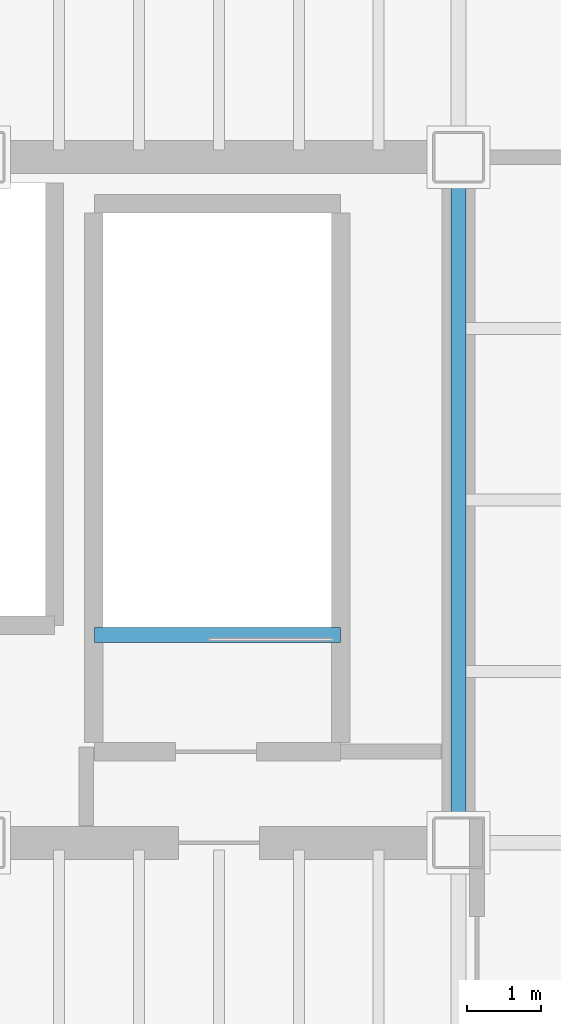
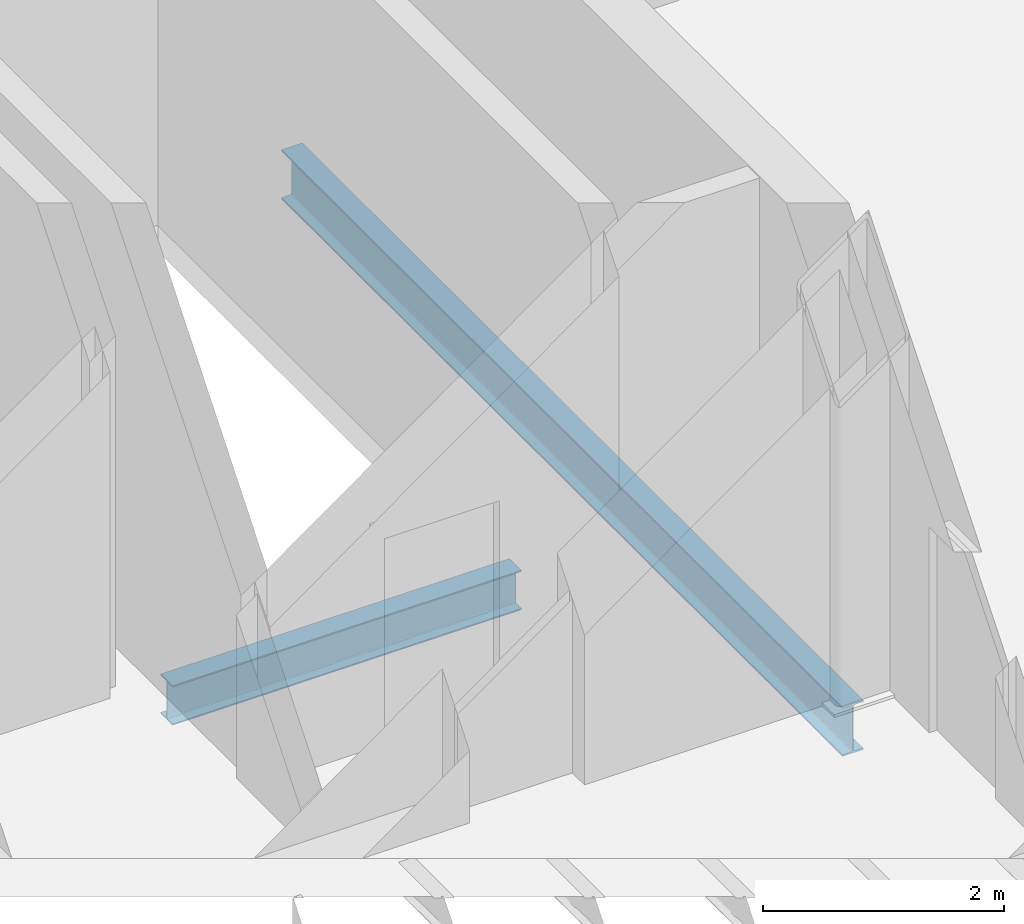
# One storey, part 11 of 20: 2 beams.
"""IFC4 building model written with IfcOpenShell, lengths in metres."""

from ifc_helpers import new_model, si_unit, direction, frame, origin, origin_2d, place, context, subcontext, project, spatial, i_section, extrude, material, material_profile, profile_set, type_object, element, save


model = new_model("IFC4")

# Units and contexts
model_context = context("Model", 3, precision=1e-05, world=origin(), true_north=direction((0.0, 1.0)))
body_context = subcontext(model_context, "Body", "Model", "MODEL_VIEW")
ifc_project = project(units=[si_unit("LENGTHUNIT", "METRE"), si_unit("AREAUNIT", "SQUARE_METRE"), si_unit("VOLUMEUNIT", "CUBIC_METRE"), si_unit("PLANEANGLEUNIT", "RADIAN"), si_unit("MASSUNIT", "GRAM", prefix="KILO")], contexts=[model_context])

# Site, building, storey
site_placement = place(None, origin())
site = spatial("IfcSite", under=ifc_project, at=site_placement, CompositionType="ELEMENT")
building_placement = place(site_placement, origin())
building = spatial("IfcBuilding", under=site, at=building_placement, Name="Noeulbin Bourse Tower", CompositionType="ELEMENT")
storey_placement = place(building_placement, frame((0.0, 0.0, 312.60009765625)))
storey = spatial("IfcBuildingStorey", under=building, at=storey_placement, Name="L77", CompositionType="ELEMENT", Elevation=312.60009765625)

# Beams
ifc_material = material(Name="Steel S355", Category="steel")
ifc_material_profile_1 = material_profile(ifc_material, i_section(OverallWidth=0.199951171875, OverallDepth=0.5, WebThickness=0.010009765625, FlangeThickness=0.01611328125, FilletRadius=0.02001953125, at=origin_2d()), Name="H-500x200x10x16", Category="LoadBearing")
ifc_profile_set_1 = profile_set([ifc_material_profile_1], Name="Steel S355")
beam_type_1 = type_object("IfcBeamType", Name="BM-GRD-500", PredefinedType="USERDEFINED", material=ifc_profile_set_1)
beam_1_placement = place(storey_placement, frame((44.0, 29.0, -0.510009765625), z_axis=(0.0, 1.0, 0.0), x_axis=(-1.0, 0.0, 0.0)))
element("IfcBeam", 1, at=beam_1_placement, inside=storey, type_object=beam_type_1, Name="Tower Primary Girder NS L77-5.2", ObjectType="GIRDER", PredefinedType="USERDEFINED", context=body_context, shape_type="SweptSolid", body=[
    extrude(i_section(OverallWidth=0.199951171875, OverallDepth=0.5, WebThickness=0.010009765625, FlangeThickness=0.01611328125, FilletRadius=0.02001953125, at=origin_2d()), origin(), (0.0, 0.0, 1.0), 9.300048828125),
])
ifc_material_profile_2 = material_profile(ifc_material, i_section(OverallWidth=0.199951171875, OverallDepth=0.39990234375, WebThickness=0.008056640625, FlangeThickness=0.012939453125, FilletRadius=0.01611328125, at=origin_2d()), Name="H-400x200x8x13", Category="LoadBearing")
ifc_profile_set_2 = profile_set([ifc_material_profile_2], Name="Steel S355")
beam_type_2 = type_object("IfcBeamType", Name="BM-SEC-400", PredefinedType="BEAM", material=ifc_profile_set_2)
beam_2_placement = place(storey_placement, frame((39.06005859375, 31.820068359375, -0.2001953125), z_axis=(1.0, 0.0, 0.0), x_axis=(0.0, 1.0, 0.0)))
element("IfcBeam", 2, at=beam_2_placement, inside=storey, type_object=beam_type_2, Name="Stair Threshold Trimmer Beam ST2-L77", PredefinedType="BEAM", context=body_context, shape_type="SweptSolid", body=[
    extrude(i_section(OverallWidth=0.199951171875, OverallDepth=0.39990234375, WebThickness=0.008056640625, FlangeThickness=0.012939453125, FilletRadius=0.01611328125, at=origin_2d()), origin(), (0.0, 0.0, 1.0), 3.33984375),
])

save(model, "model.ifc")
